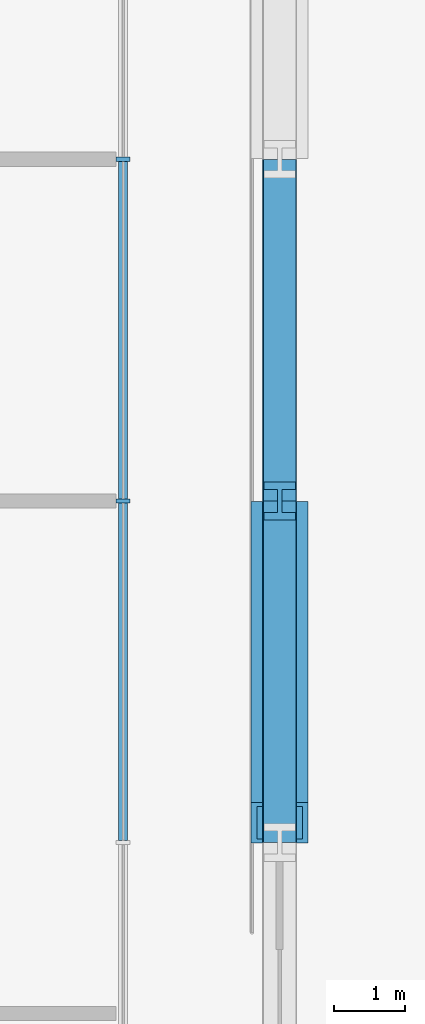
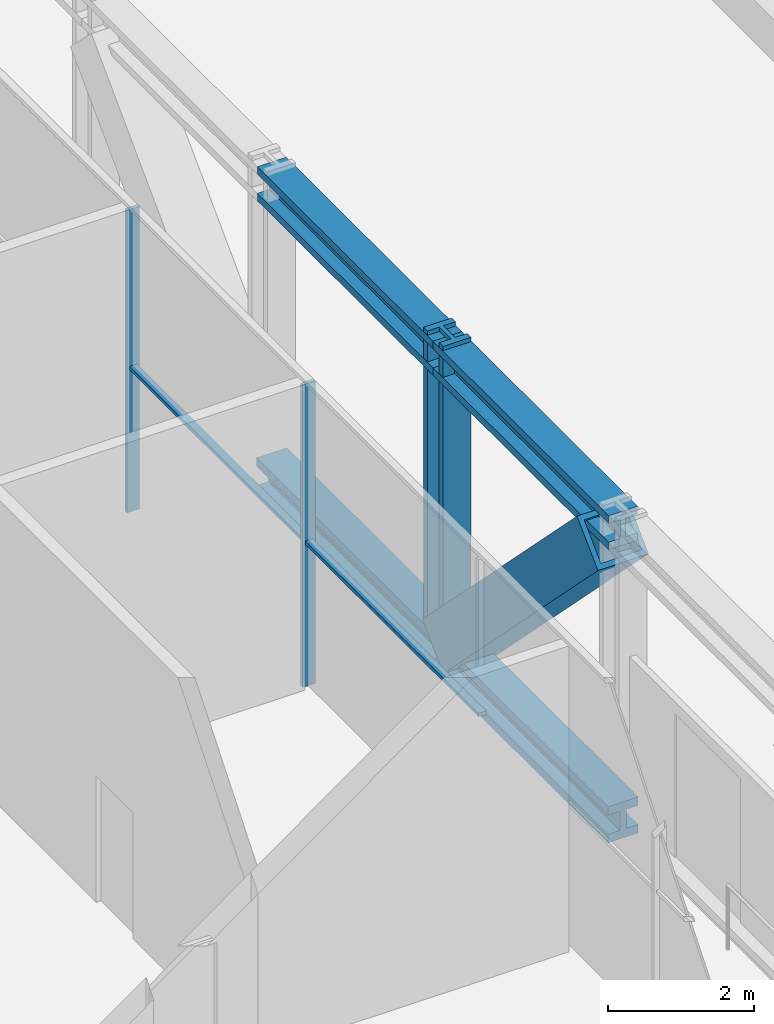
# One storey, part 5 of 22: 10 members, 1 element without a shape of its own.
"""IFC4 building model written with IfcOpenShell, lengths in metres."""

from ifc_helpers import new_model, si_unit, direction, frame, origin, origin_2d, place, context, subcontext, project, spatial, rectangle, hollow_rectangle, i_section, extrude, material, layer, layer_set, material_profile, profile_set, type_object, element, aggregate, save


model = new_model("IFC4")

# Units and contexts
model_context = context("Model", 3, precision=1e-05, world=origin(), true_north=direction((0.0, 1.0)))
body_context = subcontext(model_context, "Body", "Model", "MODEL_VIEW")
ifc_project = project(units=[si_unit("LENGTHUNIT", "METRE"), si_unit("AREAUNIT", "SQUARE_METRE"), si_unit("VOLUMEUNIT", "CUBIC_METRE"), si_unit("PLANEANGLEUNIT", "RADIAN"), si_unit("MASSUNIT", "GRAM", prefix="KILO")], contexts=[model_context])

# Site, building, storey
site_placement = place(None, origin())
site = spatial("IfcSite", under=ifc_project, at=site_placement, CompositionType="ELEMENT")
building_placement = place(site_placement, origin())
building = spatial("IfcBuilding", under=site, at=building_placement, Name="Madar Terraces", CompositionType="ELEMENT")
storey_placement = place(building_placement, frame((0.0, 0.0, 24.0)))
storey = spatial("IfcBuildingStorey", under=building, at=storey_placement, Name="L05", CompositionType="ELEMENT", Elevation=24.0)

# Members
ifc_material_1 = material(Name="Steel ASTM A913 Grade 65", Category="steel")
ifc_material_profile_1 = material_profile(ifc_material_1, i_section(OverallWidth=0.4775390625, OverallDepth=0.599365234375, WebThickness=0.10009765625, FlangeThickness=0.139892578125, at=origin_2d()), Name="W14x873")
ifc_profile_set_1 = profile_set([ifc_material_profile_1], Name="Steel ASTM A913 Grade 65")
member_type_1 = type_object("IfcMemberType", Name="BC1 W14x873", PredefinedType="CHORD", material=ifc_profile_set_1)
for number, where, z_axis, x_axis, name in (
    (1, (57.60009765625, 14.39990234375, -0.120361328125), (0.0, 1.0, 0.0), (-1.0, 0.0, 0.0), "Exoskeleton truss ring bottom chord BC1"),
    (2, (57.60009765625, 19.199951171875, -0.120361328125), (0.0, 1.0, 0.0), (-1.0, 0.0, 0.0), "Exoskeleton truss ring bottom chord BC1"),
):
    element("IfcMember", number, at=place(storey_placement, frame(where, z_axis=z_axis, x_axis=x_axis)), inside=storey, type_object=member_type_1, Name=name, PredefinedType="CHORD", context=body_context, shape_type="SweptSolid", body=[
        extrude(i_section(OverallWidth=0.4775390625, OverallDepth=0.599365234375, WebThickness=0.10009765625, FlangeThickness=0.139892578125, at=origin_2d()), origin(), (0.0, 0.0, 1.0), 4.800048828125),
    ])

# Curtain wall, members
ifc_material_2 = material(Name="Glass, ceramic frit dark grey, with black aluminium frame", Category="aluminium")
ifc_layer = layer(ifc_material_2, 0.199951171875)
ifc_layer_set = layer_set([ifc_layer], Name="Facade curtain wall, tall glazing")
curtain_wall_type = type_object("IfcCurtainWallType", Name="Facade curtain wall, tall glazing", PredefinedType="NOTDEFINED", material=ifc_layer_set)
curtain_wall_placement = place(storey_placement, origin())
curtain_wall = element("IfcCurtainWall", 3, at=curtain_wall_placement, inside=storey, type_object=curtain_wall_type, Name="Outer skin curtain wall east bay 1", PredefinedType="NOTDEFINED")
ifc_material_3 = material(Name="Aluminium, black anodised", Category="aluminium")
ifc_material_profile_2 = material_profile(ifc_material_3, rectangle(XDim=0.199951171875, YDim=0.06005859375, at=origin_2d()), Name="Facade mullion 60x200")
ifc_profile_set_2 = profile_set([ifc_material_profile_2], Name="Aluminium, black anodised")
member_type_2 = type_object("IfcMemberType", Name="Facade mullion 60x200", PredefinedType="MULLION", material=ifc_profile_set_2)
member_1_placement = place(storey_placement, frame((55.39990234375, 19.199951171875, 0.0), z_axis=(0.0, 0.0, 1.0), x_axis=(-1.0, 0.0, 0.0)))
member_1 = element("IfcMember", 4, at=member_1_placement, type_object=member_type_2, Name="Mullion 3", PredefinedType="MULLION", context=body_context, shape_type="SweptSolid", body=[
    extrude(rectangle(XDim=0.199951171875, YDim=0.06005859375, at=origin_2d()), origin(), (0.0, 0.0, 1.0), 5.0400390625),
])
member_2_placement = place(storey_placement, frame((55.39990234375, 24.0, 0.0), z_axis=(0.0, 0.0, 1.0), x_axis=(-1.0, 0.0, 0.0)))
member_2 = element("IfcMember", 5, at=member_2_placement, type_object=member_type_2, Name="Mullion 4", PredefinedType="MULLION", context=body_context, shape_type="SweptSolid", body=[
    extrude(rectangle(XDim=0.199951171875, YDim=0.06005859375, at=origin_2d()), origin(), (0.0, 0.0, 1.0), 5.0400390625),
])
ifc_material_4 = material(Name="Aluminium, black anodised", Category="aluminium")
ifc_material_profile_3 = material_profile(ifc_material_4, rectangle(XDim=0.1201171875, YDim=0.06005859375, at=origin_2d()), Name="Facade transom 60x120")
ifc_profile_set_3 = profile_set([ifc_material_profile_3], Name="Aluminium, black anodised")
member_type_3 = type_object("IfcMemberType", Name="Facade transom 60x120", PredefinedType="USERDEFINED", material=ifc_profile_set_3)
member_3_placement = place(storey_placement, frame((55.39990234375, 14.429931640625, 2.39990234375), z_axis=(0.0, 1.0, 0.0), x_axis=(-1.0, 0.0, 0.0)))
member_3 = element("IfcMember", 6, at=member_3_placement, type_object=member_type_3, Name="Transom 4", ObjectType="TRANSOM", PredefinedType="USERDEFINED", context=body_context, shape_type="SweptSolid", body=[
    extrude(rectangle(XDim=0.1201171875, YDim=0.06005859375, at=origin_2d()), origin(), (0.0, 0.0, 1.0), 4.739990234375),
])
member_4_placement = place(storey_placement, frame((55.39990234375, 19.22998046875, 2.39990234375), z_axis=(0.0, 1.0, 0.0), x_axis=(-1.0, 0.0, 0.0)))
member_4 = element("IfcMember", 7, at=member_4_placement, type_object=member_type_3, Name="Transom 5", ObjectType="TRANSOM", PredefinedType="USERDEFINED", context=body_context, shape_type="SweptSolid", body=[
    extrude(rectangle(XDim=0.1201171875, YDim=0.06005859375, at=origin_2d()), origin(), (0.0, 0.0, 1.0), 4.739990234375),
])
aggregate(curtain_wall, [member_1, member_2, member_3, member_4])

# Members
ifc_material_5 = material(Name="Steel ASTM A913 Grade 65", Category="steel")
ifc_material_profile_4 = material_profile(ifc_material_5, i_section(OverallWidth=0.45458984375, OverallDepth=0.56884765625, WebThickness=0.077880859375, FlangeThickness=0.124755859375, at=origin_2d()), Name="W14x730")
ifc_profile_set_4 = profile_set([ifc_material_profile_4], Name="Steel ASTM A913 Grade 65")
member_type_4 = type_object("IfcMemberType", Name="TC1 W14x730", PredefinedType="CHORD", material=ifc_profile_set_4)
for number, where, z_axis, x_axis, name in (
    (8, (57.60009765625, 14.39990234375, 4.74560546875), (0.0, 1.0, 0.0), (-1.0, 0.0, 0.0), "Exoskeleton truss ring top chord TC1"),
    (9, (57.60009765625, 19.199951171875, 4.74560546875), (0.0, 1.0, 0.0), (-1.0, 0.0, 0.0), "Exoskeleton truss ring top chord TC1"),
):
    element("IfcMember", number, at=place(storey_placement, frame(where, z_axis=z_axis, x_axis=x_axis)), inside=storey, type_object=member_type_4, Name=name, PredefinedType="CHORD", context=body_context, shape_type="SweptSolid", body=[
        extrude(i_section(OverallWidth=0.45458984375, OverallDepth=0.56884765625, WebThickness=0.077880859375, FlangeThickness=0.124755859375, at=origin_2d()), origin(), (0.0, 0.0, 1.0), 4.800048828125),
    ])
ifc_material_6 = material(Name="Steel ASTM A572 Grade 50", Category="steel")
ifc_material_profile_5 = material_profile(ifc_material_6, hollow_rectangle(XDim=0.800048828125, YDim=0.800048828125, WallThickness=0.080078125, at=origin_2d()), Name="BOX800x800x80")
ifc_profile_set_5 = profile_set([ifc_material_profile_5], Name="Steel ASTM A572 Grade 50")
member_type_5 = type_object("IfcMemberType", Name="TD1 BOX800x800x80", PredefinedType="BRACE", material=ifc_profile_set_5)
member_5_placement = place(storey_placement, frame((57.60009765625, 14.6806640625, 4.4609375), z_axis=(0.0, 0.702280003428, -0.711900833533), x_axis=(-1.0, 0.0, 0.0)))
element("IfcMember", 10, at=member_5_placement, inside=storey, type_object=member_type_5, Name="Exoskeleton truss ring diagonal TD1", PredefinedType="BRACE", context=body_context, shape_type="SweptSolid", body=[
    extrude(hollow_rectangle(XDim=0.800048828125, YDim=0.800048828125, WallThickness=0.080078125, at=origin_2d()), origin(), (0.0, 0.0, 1.0), 6.01416015625),
])
ifc_material_7 = material(Name="Steel ASTM A913 Grade 65", Category="steel")
ifc_material_profile_6 = material_profile(ifc_material_7, i_section(OverallWidth=0.44189453125, OverallDepth=0.53076171875, WebThickness=0.06591796875, FlangeThickness=0.105712890625, at=origin_2d()), Name="W14x605")
ifc_profile_set_6 = profile_set([ifc_material_profile_6], Name="Steel ASTM A913 Grade 65")
member_type_6 = type_object("IfcMemberType", Name="TV1 W14x605", PredefinedType="POST", material=ifc_profile_set_6)
member_6_placement = place(storey_placement, frame((57.60009765625, 19.199951171875, 0.179443359375), z_axis=(0.0, 0.0, 1.0), x_axis=(-1.0, 0.0, 0.0)))
element("IfcMember", 11, at=member_6_placement, inside=storey, type_object=member_type_6, Name="Exoskeleton truss ring post TV1", PredefinedType="POST", context=body_context, shape_type="SweptSolid", body=[
    extrude(i_section(OverallWidth=0.44189453125, OverallDepth=0.53076171875, WebThickness=0.06591796875, FlangeThickness=0.105712890625, at=origin_2d()), origin(), (0.0, 0.0, 1.0), 4.920654296875),
])

save(model, "model.ifc")
